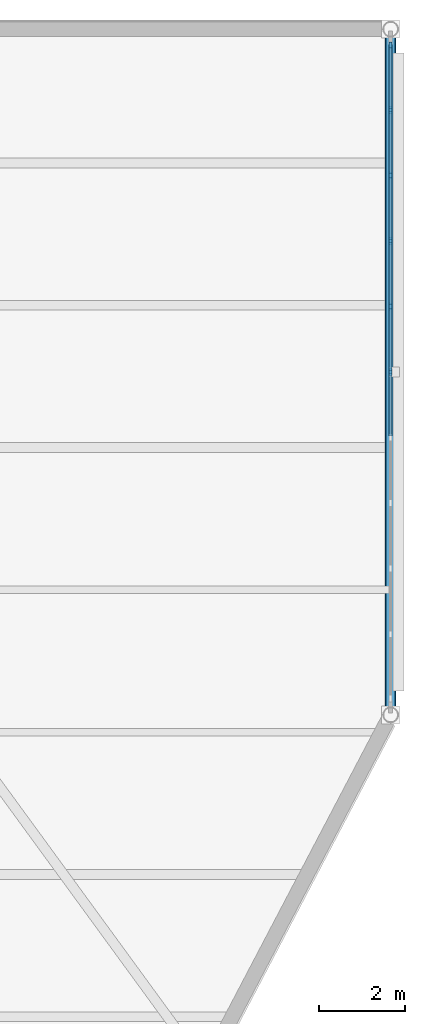
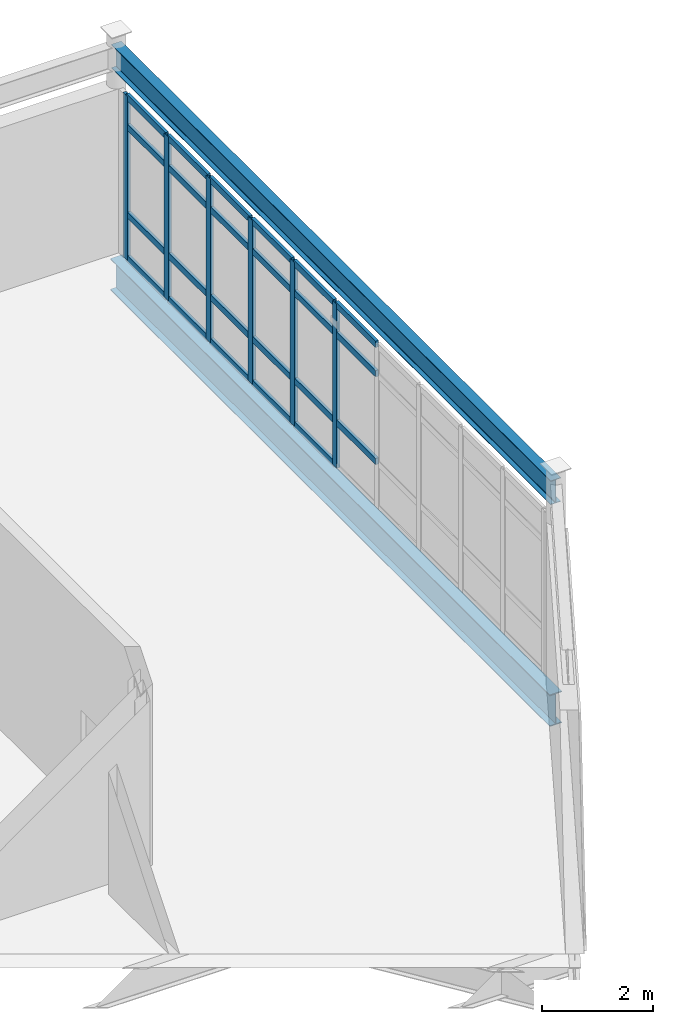
# One storey, part 67 of 114: 29 members, 2 beams, 1 element without a shape of its own.
"""IFC4 building model written with IfcOpenShell, lengths in metres."""

from ifc_helpers import new_model, si_unit, direction, frame, origin, origin_2d, place, context, subcontext, project, spatial, rectangle, i_section, extrude, material, material_profile, profile_set, type_object, element, aggregate, save


model = new_model("IFC4")

# Units and contexts
model_context = context("Model", 3, precision=1e-05, world=origin(), true_north=direction((0.0, 1.0)))
body_context = subcontext(model_context, "Body", "Model", "MODEL_VIEW")
ifc_project = project(units=[si_unit("LENGTHUNIT", "METRE"), si_unit("AREAUNIT", "SQUARE_METRE"), si_unit("VOLUMEUNIT", "CUBIC_METRE"), si_unit("PLANEANGLEUNIT", "RADIAN"), si_unit("MASSUNIT", "GRAM", prefix="KILO")], contexts=[model_context])

# Site, building, storey
site_placement = place(None, origin())
site = spatial("IfcSite", under=ifc_project, at=site_placement, CompositionType="ELEMENT")
building_placement = place(site_placement, origin())
building = spatial("IfcBuilding", under=site, at=building_placement, Name="Tameran Prism Museum", CompositionType="ELEMENT")
storey_placement = place(building_placement, frame((0.0, 0.0, 10.199951171875)))
storey = spatial("IfcBuildingStorey", under=building, at=storey_placement, Name="L02", CompositionType="ELEMENT", Elevation=10.199951171875)

# Beams
ifc_material_1 = material(Name="Steel Grade 300PLUS (300 MPa)", Category="steel")
ifc_material_profile_1 = material_profile(ifc_material_1, i_section(OverallWidth=0.208984375, OverallDepth=0.528076171875, WebThickness=0.009521484375, FlangeThickness=0.01318359375, FilletRadius=0.013916015625, at=origin_2d()))
ifc_profile_set_1 = profile_set([ifc_material_profile_1])
beam_type_1 = type_object("IfcBeamType", Name="BM-SP530B", PredefinedType="SPANDREL", material=ifc_profile_set_1)
beam_1_placement = place(storey_placement, frame((166.39990234375, 96.10009765625, 4.256103515625), z_axis=(0.0, 1.0, 0.0), x_axis=(-1.0, 0.0, 0.0)))
element("IfcBeam", 1, at=beam_1_placement, inside=storey, type_object=beam_type_1, Name="Roof Ring Beam RB-0676", PredefinedType="SPANDREL", context=body_context, shape_type="SweptSolid", body=[
    extrude(i_section(OverallWidth=0.208984375, OverallDepth=0.528076171875, WebThickness=0.009521484375, FlangeThickness=0.01318359375, FilletRadius=0.013916015625, at=origin_2d()), origin(), (0.0, 0.0, 1.0), 15.89990234375),
])
ifc_material_2 = material(Name="Steel Grade 350 (350 MPa)", Category="steel")
ifc_material_profile_2 = material_profile(ifc_material_2, i_section(OverallWidth=0.25, OverallDepth=0.699951171875, WebThickness=0.010009765625, FlangeThickness=0.02001953125, at=origin_2d()))
ifc_profile_set_2 = profile_set([ifc_material_profile_2])
beam_type_2 = type_object("IfcBeamType", Name="BM-SP700", PredefinedType="SPANDREL", material=ifc_profile_set_2)
beam_2_placement = place(storey_placement, frame((166.39990234375, 96.10009765625, -0.550048828125), z_axis=(0.0, 1.0, 0.0), x_axis=(-1.0, 0.0, 0.0)))
element("IfcBeam", 2, at=beam_2_placement, inside=storey, type_object=beam_type_2, Name="Perimeter Spandrel SP-0671", PredefinedType="SPANDREL", context=body_context, shape_type="SweptSolid", body=[
    extrude(i_section(OverallWidth=0.25, OverallDepth=0.699951171875, WebThickness=0.010009765625, FlangeThickness=0.02001953125, at=origin_2d()), origin(), (0.0, 0.0, 1.0), 15.89990234375),
])

# Curtain wall, members
ifc_material_3 = material(Name="Anodised Aluminium 6063-T6 and Cyclone Solar Glass", Category="aluminium")
curtain_wall_type = type_object("IfcCurtainWallType", Name="CW-FAC-1520x362", PredefinedType="USERDEFINED", material=ifc_material_3)
curtain_wall_placement = place(storey_placement, origin())
curtain_wall = element("IfcCurtainWall", 3, at=curtain_wall_placement, inside=storey, type_object=curtain_wall_type, Name="Unitised Curtain Wall CW-103", ObjectType="UNITISED CURTAIN WALL", PredefinedType="USERDEFINED")
ifc_material_4 = material(Name="Anodised Aluminium Alloy 6063-T6", Category="aluminium")
ifc_material_profile_3 = material_profile(ifc_material_4, rectangle(XDim=0.06494140625, YDim=0.159912109375, at=origin_2d()))
ifc_profile_set_3 = profile_set([ifc_material_profile_3])
member_type_1 = type_object("IfcMemberType", Name="CW-MUL-A", PredefinedType="MULLION", material=ifc_profile_set_3)
member_1_placement = place(storey_placement, frame((166.39990234375, 111.617431640625, 0.0), z_axis=(0.0, 0.0, 1.0), x_axis=(1.0, 0.0, 0.0)))
member_1 = element("IfcMember", 4, at=member_1_placement, type_object=member_type_1, Name="CW-103 mullion 1", PredefinedType="MULLION", context=body_context, shape_type="SweptSolid", body=[
    extrude(rectangle(XDim=0.06494140625, YDim=0.159912109375, at=origin_2d()), origin(), (0.0, 0.0, 1.0), 3.6201171875),
])
member_2_placement = place(storey_placement, frame((166.39990234375, 110.1298828125, 0.0), z_axis=(0.0, 0.0, 1.0), x_axis=(1.0, 0.0, 0.0)))
member_2 = element("IfcMember", 5, at=member_2_placement, type_object=member_type_1, Name="CW-103 mullion 2", PredefinedType="MULLION", context=body_context, shape_type="SweptSolid", body=[
    extrude(rectangle(XDim=0.06494140625, YDim=0.159912109375, at=origin_2d()), origin(), (0.0, 0.0, 1.0), 3.6201171875),
])
member_3_placement = place(storey_placement, frame((166.39990234375, 108.610107421875, 0.0), z_axis=(0.0, 0.0, 1.0), x_axis=(1.0, 0.0, 0.0)))
member_3 = element("IfcMember", 6, at=member_3_placement, type_object=member_type_1, Name="CW-103 mullion 3", PredefinedType="MULLION", context=body_context, shape_type="SweptSolid", body=[
    extrude(rectangle(XDim=0.06494140625, YDim=0.159912109375, at=origin_2d()), origin(), (0.0, 0.0, 1.0), 3.6201171875),
])
member_4_placement = place(storey_placement, frame((166.39990234375, 107.090087890625, 0.0), z_axis=(0.0, 0.0, 1.0), x_axis=(1.0, 0.0, 0.0)))
member_4 = element("IfcMember", 7, at=member_4_placement, type_object=member_type_1, Name="CW-103 mullion 4", PredefinedType="MULLION", context=body_context, shape_type="SweptSolid", body=[
    extrude(rectangle(XDim=0.06494140625, YDim=0.159912109375, at=origin_2d()), origin(), (0.0, 0.0, 1.0), 3.6201171875),
])
member_5_placement = place(storey_placement, frame((166.39990234375, 105.570068359375, 0.0), z_axis=(0.0, 0.0, 1.0), x_axis=(1.0, 0.0, 0.0)))
member_5 = element("IfcMember", 8, at=member_5_placement, type_object=member_type_1, Name="CW-103 mullion 5", PredefinedType="MULLION", context=body_context, shape_type="SweptSolid", body=[
    extrude(rectangle(XDim=0.06494140625, YDim=0.159912109375, at=origin_2d()), origin(), (0.0, 0.0, 1.0), 3.6201171875),
])
member_6_placement = place(storey_placement, frame((166.39990234375, 104.050048828125, 0.0), z_axis=(0.0, 0.0, 1.0), x_axis=(1.0, 0.0, 0.0)))
member_6 = element("IfcMember", 9, at=member_6_placement, type_object=member_type_1, Name="CW-103 mullion 6", PredefinedType="MULLION", context=body_context, shape_type="SweptSolid", body=[
    extrude(rectangle(XDim=0.06494140625, YDim=0.159912109375, at=origin_2d()), origin(), (0.0, 0.0, 1.0), 3.6201171875),
])
ifc_material_5 = material(Name="Anodised Aluminium Alloy 6063-T6", Category="aluminium")
ifc_material_profile_4 = material_profile(ifc_material_5, rectangle(XDim=0.06494140625, YDim=0.139892578125, at=origin_2d()))
ifc_profile_set_4 = profile_set([ifc_material_profile_4])
member_type_2 = type_object("IfcMemberType", Name="CW-TRN-A", PredefinedType="USERDEFINED", material=ifc_profile_set_4)
member_7_placement = place(storey_placement, frame((166.39990234375, 111.5849609375, 0.032470703125), z_axis=(0.0, -1.0, 0.0), x_axis=(1.0, 0.0, 0.0)))
member_7 = element("IfcMember", 10, at=member_7_placement, type_object=member_type_2, Name="CW-103 transom 1.1", ObjectType="TRANSOM", PredefinedType="USERDEFINED", context=body_context, shape_type="SweptSolid", body=[
    extrude(rectangle(XDim=0.06494140625, YDim=0.139892578125, at=origin_2d()), origin(), (0.0, 0.0, 1.0), 1.42236328125),
])
member_8_placement = place(storey_placement, frame((166.39990234375, 111.5849609375, 1.0), z_axis=(0.0, -1.0, 0.0), x_axis=(1.0, 0.0, 0.0)))
member_8 = element("IfcMember", 11, at=member_8_placement, type_object=member_type_2, Name="CW-103 transom 1.2", ObjectType="TRANSOM", PredefinedType="USERDEFINED", context=body_context, shape_type="SweptSolid", body=[
    extrude(rectangle(XDim=0.06494140625, YDim=0.139892578125, at=origin_2d()), origin(), (0.0, 0.0, 1.0), 1.42236328125),
])
member_9_placement = place(storey_placement, frame((166.39990234375, 111.5849609375, 2.93994140625), z_axis=(0.0, -1.0, 0.0), x_axis=(1.0, 0.0, 0.0)))
member_9 = element("IfcMember", 12, at=member_9_placement, type_object=member_type_2, Name="CW-103 transom 1.3", ObjectType="TRANSOM", PredefinedType="USERDEFINED", context=body_context, shape_type="SweptSolid", body=[
    extrude(rectangle(XDim=0.06494140625, YDim=0.139892578125, at=origin_2d()), origin(), (0.0, 0.0, 1.0), 1.42236328125),
])
member_10_placement = place(storey_placement, frame((166.39990234375, 111.5849609375, 3.587646484375), z_axis=(0.0, -1.0, 0.0), x_axis=(1.0, 0.0, 0.0)))
member_10 = element("IfcMember", 13, at=member_10_placement, type_object=member_type_2, Name="CW-103 transom 1.4", ObjectType="TRANSOM", PredefinedType="USERDEFINED", context=body_context, shape_type="SweptSolid", body=[
    extrude(rectangle(XDim=0.06494140625, YDim=0.139892578125, at=origin_2d()), origin(), (0.0, 0.0, 1.0), 1.42236328125),
])
member_11_placement = place(storey_placement, frame((166.39990234375, 110.097412109375, 0.032470703125), z_axis=(0.0, -1.0, 0.0), x_axis=(1.0, 0.0, 0.0)))
member_11 = element("IfcMember", 14, at=member_11_placement, type_object=member_type_2, Name="CW-103 transom 2.1", ObjectType="TRANSOM", PredefinedType="USERDEFINED", context=body_context, shape_type="SweptSolid", body=[
    extrude(rectangle(XDim=0.06494140625, YDim=0.139892578125, at=origin_2d()), origin(), (0.0, 0.0, 1.0), 1.454833984375),
])
member_12_placement = place(storey_placement, frame((166.39990234375, 110.097412109375, 1.0), z_axis=(0.0, -1.0, 0.0), x_axis=(1.0, 0.0, 0.0)))
member_12 = element("IfcMember", 15, at=member_12_placement, type_object=member_type_2, Name="CW-103 transom 2.2", ObjectType="TRANSOM", PredefinedType="USERDEFINED", context=body_context, shape_type="SweptSolid", body=[
    extrude(rectangle(XDim=0.06494140625, YDim=0.139892578125, at=origin_2d()), origin(), (0.0, 0.0, 1.0), 1.454833984375),
])
member_13_placement = place(storey_placement, frame((166.39990234375, 110.097412109375, 2.93994140625), z_axis=(0.0, -1.0, 0.0), x_axis=(1.0, 0.0, 0.0)))
member_13 = element("IfcMember", 16, at=member_13_placement, type_object=member_type_2, Name="CW-103 transom 2.3", ObjectType="TRANSOM", PredefinedType="USERDEFINED", context=body_context, shape_type="SweptSolid", body=[
    extrude(rectangle(XDim=0.06494140625, YDim=0.139892578125, at=origin_2d()), origin(), (0.0, 0.0, 1.0), 1.454833984375),
])
member_14_placement = place(storey_placement, frame((166.39990234375, 110.097412109375, 3.587646484375), z_axis=(0.0, -1.0, 0.0), x_axis=(1.0, 0.0, 0.0)))
member_14 = element("IfcMember", 17, at=member_14_placement, type_object=member_type_2, Name="CW-103 transom 2.4", ObjectType="TRANSOM", PredefinedType="USERDEFINED", context=body_context, shape_type="SweptSolid", body=[
    extrude(rectangle(XDim=0.06494140625, YDim=0.139892578125, at=origin_2d()), origin(), (0.0, 0.0, 1.0), 1.454833984375),
])
member_15_placement = place(storey_placement, frame((166.39990234375, 108.577392578125, 0.032470703125), z_axis=(0.0, -1.0, 0.0), x_axis=(1.0, 0.0, 0.0)))
member_15 = element("IfcMember", 18, at=member_15_placement, type_object=member_type_2, Name="CW-103 transom 3.1", ObjectType="TRANSOM", PredefinedType="USERDEFINED", context=body_context, shape_type="SweptSolid", body=[
    extrude(rectangle(XDim=0.06494140625, YDim=0.139892578125, at=origin_2d()), origin(), (0.0, 0.0, 1.0), 1.454833984375),
])
member_16_placement = place(storey_placement, frame((166.39990234375, 108.577392578125, 1.0), z_axis=(0.0, -1.0, 0.0), x_axis=(1.0, 0.0, 0.0)))
member_16 = element("IfcMember", 19, at=member_16_placement, type_object=member_type_2, Name="CW-103 transom 3.2", ObjectType="TRANSOM", PredefinedType="USERDEFINED", context=body_context, shape_type="SweptSolid", body=[
    extrude(rectangle(XDim=0.06494140625, YDim=0.139892578125, at=origin_2d()), origin(), (0.0, 0.0, 1.0), 1.454833984375),
])
member_17_placement = place(storey_placement, frame((166.39990234375, 108.577392578125, 2.93994140625), z_axis=(0.0, -1.0, 0.0), x_axis=(1.0, 0.0, 0.0)))
member_17 = element("IfcMember", 20, at=member_17_placement, type_object=member_type_2, Name="CW-103 transom 3.3", ObjectType="TRANSOM", PredefinedType="USERDEFINED", context=body_context, shape_type="SweptSolid", body=[
    extrude(rectangle(XDim=0.06494140625, YDim=0.139892578125, at=origin_2d()), origin(), (0.0, 0.0, 1.0), 1.454833984375),
])
member_18_placement = place(storey_placement, frame((166.39990234375, 108.577392578125, 3.587646484375), z_axis=(0.0, -1.0, 0.0), x_axis=(1.0, 0.0, 0.0)))
member_18 = element("IfcMember", 21, at=member_18_placement, type_object=member_type_2, Name="CW-103 transom 3.4", ObjectType="TRANSOM", PredefinedType="USERDEFINED", context=body_context, shape_type="SweptSolid", body=[
    extrude(rectangle(XDim=0.06494140625, YDim=0.139892578125, at=origin_2d()), origin(), (0.0, 0.0, 1.0), 1.454833984375),
])
member_19_placement = place(storey_placement, frame((166.39990234375, 107.0576171875, 0.032470703125), z_axis=(0.0, -1.0, 0.0), x_axis=(1.0, 0.0, 0.0)))
member_19 = element("IfcMember", 22, at=member_19_placement, type_object=member_type_2, Name="CW-103 transom 4.1", ObjectType="TRANSOM", PredefinedType="USERDEFINED", context=body_context, shape_type="SweptSolid", body=[
    extrude(rectangle(XDim=0.06494140625, YDim=0.139892578125, at=origin_2d()), origin(), (0.0, 0.0, 1.0), 1.455078125),
])
member_20_placement = place(storey_placement, frame((166.39990234375, 107.0576171875, 1.0), z_axis=(0.0, -1.0, 0.0), x_axis=(1.0, 0.0, 0.0)))
member_20 = element("IfcMember", 23, at=member_20_placement, type_object=member_type_2, Name="CW-103 transom 4.2", ObjectType="TRANSOM", PredefinedType="USERDEFINED", context=body_context, shape_type="SweptSolid", body=[
    extrude(rectangle(XDim=0.06494140625, YDim=0.139892578125, at=origin_2d()), origin(), (0.0, 0.0, 1.0), 1.455078125),
])
member_21_placement = place(storey_placement, frame((166.39990234375, 107.0576171875, 2.93994140625), z_axis=(0.0, -1.0, 0.0), x_axis=(1.0, 0.0, 0.0)))
member_21 = element("IfcMember", 24, at=member_21_placement, type_object=member_type_2, Name="CW-103 transom 4.3", ObjectType="TRANSOM", PredefinedType="USERDEFINED", context=body_context, shape_type="SweptSolid", body=[
    extrude(rectangle(XDim=0.06494140625, YDim=0.139892578125, at=origin_2d()), origin(), (0.0, 0.0, 1.0), 1.455078125),
])
member_22_placement = place(storey_placement, frame((166.39990234375, 107.0576171875, 3.587646484375), z_axis=(0.0, -1.0, 0.0), x_axis=(1.0, 0.0, 0.0)))
member_22 = element("IfcMember", 25, at=member_22_placement, type_object=member_type_2, Name="CW-103 transom 4.4", ObjectType="TRANSOM", PredefinedType="USERDEFINED", context=body_context, shape_type="SweptSolid", body=[
    extrude(rectangle(XDim=0.06494140625, YDim=0.139892578125, at=origin_2d()), origin(), (0.0, 0.0, 1.0), 1.455078125),
])
member_23_placement = place(storey_placement, frame((166.39990234375, 105.53759765625, 0.032470703125), z_axis=(0.0, -1.0, 0.0), x_axis=(1.0, 0.0, 0.0)))
member_23 = element("IfcMember", 26, at=member_23_placement, type_object=member_type_2, Name="CW-103 transom 5.1", ObjectType="TRANSOM", PredefinedType="USERDEFINED", context=body_context, shape_type="SweptSolid", body=[
    extrude(rectangle(XDim=0.06494140625, YDim=0.139892578125, at=origin_2d()), origin(), (0.0, 0.0, 1.0), 1.455078125),
])
member_24_placement = place(storey_placement, frame((166.39990234375, 105.53759765625, 1.0), z_axis=(0.0, -1.0, 0.0), x_axis=(1.0, 0.0, 0.0)))
member_24 = element("IfcMember", 27, at=member_24_placement, type_object=member_type_2, Name="CW-103 transom 5.2", ObjectType="TRANSOM", PredefinedType="USERDEFINED", context=body_context, shape_type="SweptSolid", body=[
    extrude(rectangle(XDim=0.06494140625, YDim=0.139892578125, at=origin_2d()), origin(), (0.0, 0.0, 1.0), 1.455078125),
])
member_25_placement = place(storey_placement, frame((166.39990234375, 105.53759765625, 2.93994140625), z_axis=(0.0, -1.0, 0.0), x_axis=(1.0, 0.0, 0.0)))
member_25 = element("IfcMember", 28, at=member_25_placement, type_object=member_type_2, Name="CW-103 transom 5.3", ObjectType="TRANSOM", PredefinedType="USERDEFINED", context=body_context, shape_type="SweptSolid", body=[
    extrude(rectangle(XDim=0.06494140625, YDim=0.139892578125, at=origin_2d()), origin(), (0.0, 0.0, 1.0), 1.455078125),
])
member_26_placement = place(storey_placement, frame((166.39990234375, 105.53759765625, 3.587646484375), z_axis=(0.0, -1.0, 0.0), x_axis=(1.0, 0.0, 0.0)))
member_26 = element("IfcMember", 29, at=member_26_placement, type_object=member_type_2, Name="CW-103 transom 5.4", ObjectType="TRANSOM", PredefinedType="USERDEFINED", context=body_context, shape_type="SweptSolid", body=[
    extrude(rectangle(XDim=0.06494140625, YDim=0.139892578125, at=origin_2d()), origin(), (0.0, 0.0, 1.0), 1.455078125),
])
member_27_placement = place(storey_placement, frame((166.39990234375, 104.017578125, 1.0), z_axis=(0.0, -1.0, 0.0), x_axis=(1.0, 0.0, 0.0)))
member_27 = element("IfcMember", 30, at=member_27_placement, type_object=member_type_2, Name="CW-103 transom 6.2", ObjectType="TRANSOM", PredefinedType="USERDEFINED", context=body_context, shape_type="SweptSolid", body=[
    extrude(rectangle(XDim=0.06494140625, YDim=0.139892578125, at=origin_2d()), origin(), (0.0, 0.0, 1.0), 1.455078125),
])
member_28_placement = place(storey_placement, frame((166.39990234375, 104.017578125, 2.93994140625), z_axis=(0.0, -1.0, 0.0), x_axis=(1.0, 0.0, 0.0)))
member_28 = element("IfcMember", 31, at=member_28_placement, type_object=member_type_2, Name="CW-103 transom 6.3", ObjectType="TRANSOM", PredefinedType="USERDEFINED", context=body_context, shape_type="SweptSolid", body=[
    extrude(rectangle(XDim=0.06494140625, YDim=0.139892578125, at=origin_2d()), origin(), (0.0, 0.0, 1.0), 1.455078125),
])
member_29_placement = place(storey_placement, frame((166.39990234375, 104.017578125, 3.587646484375), z_axis=(0.0, -1.0, 0.0), x_axis=(1.0, 0.0, 0.0)))
member_29 = element("IfcMember", 32, at=member_29_placement, type_object=member_type_2, Name="CW-103 transom 6.4", ObjectType="TRANSOM", PredefinedType="USERDEFINED", context=body_context, shape_type="SweptSolid", body=[
    extrude(rectangle(XDim=0.06494140625, YDim=0.139892578125, at=origin_2d()), origin(), (0.0, 0.0, 1.0), 1.455078125),
])
aggregate(curtain_wall, [member_1, member_2, member_3, member_4, member_5, member_6, member_7, member_8, member_9, member_10, member_11, member_12, member_13, member_14, member_15, member_16, member_17, member_18, member_19, member_20, member_21, member_22, member_23, member_24, member_25, member_26, member_27, member_28, member_29])

save(model, "model.ifc")
